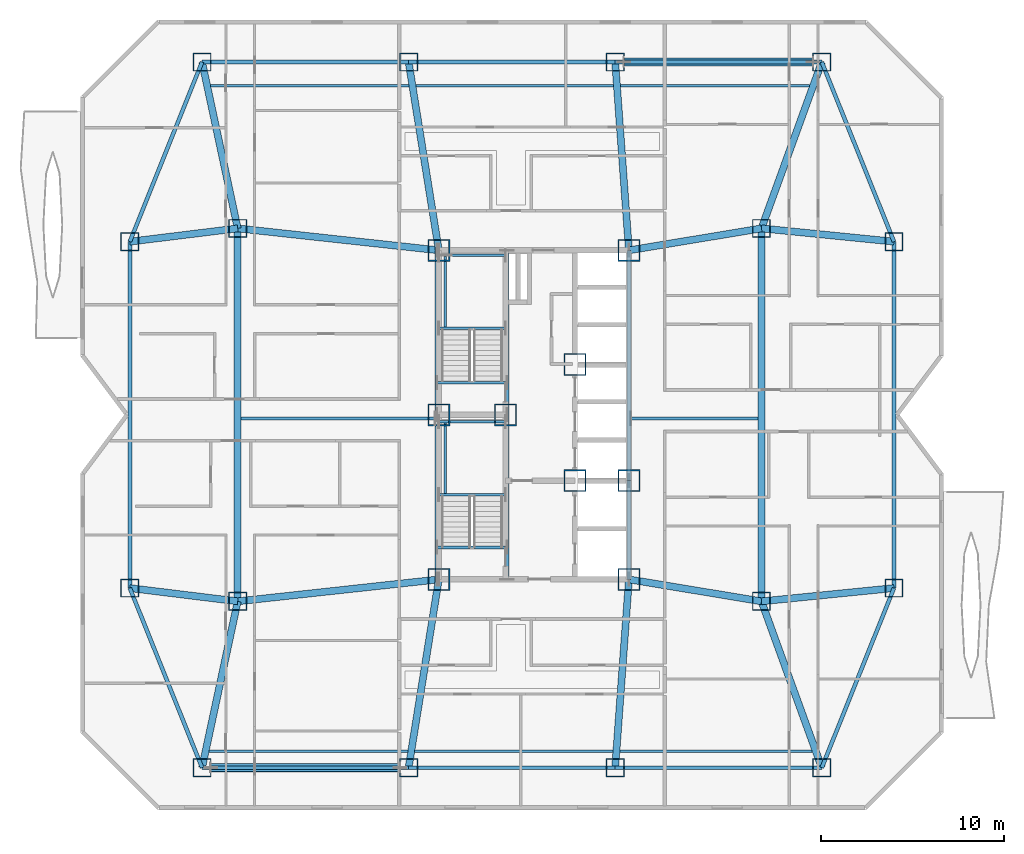
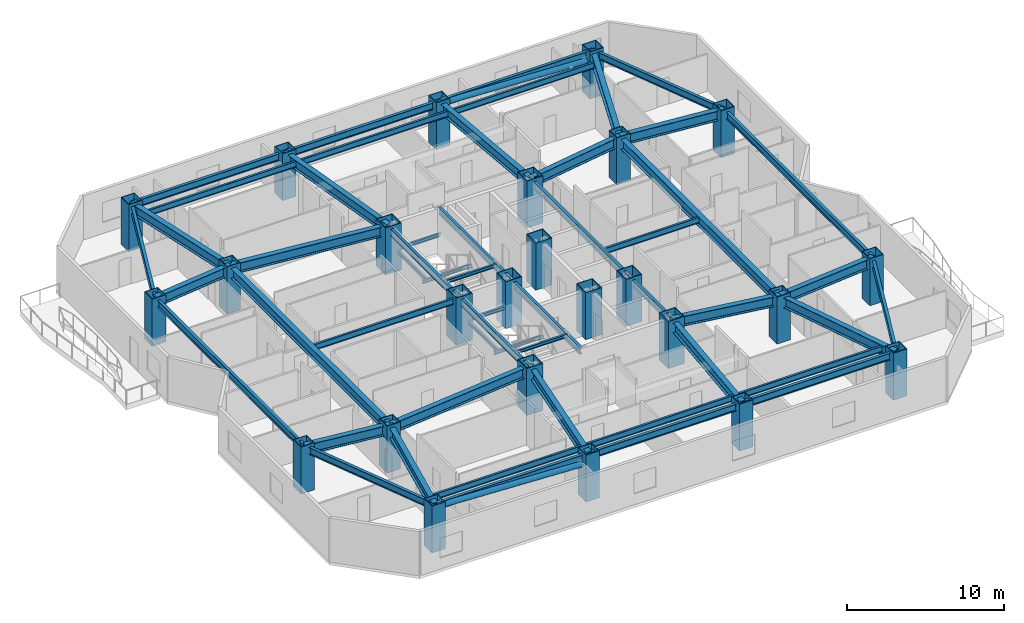
# One storey, part 1 of 15: 52 beams, 25 columns, 2 members.
"""IFC4 building model written with IfcOpenShell, lengths in metres."""

from ifc_helpers import new_model, si_unit, direction, frame, origin, origin_2d, place, context, subcontext, project, spatial, hollow_rectangle, hollow_circle, i_section, extrude, material, material_profile, profile_set, type_object, element, save


model = new_model("IFC4")

# Units and contexts
model_context = context("Model", 3, precision=1e-05, world=origin(), true_north=direction((0.0, 1.0)))
body_context = subcontext(model_context, "Body", "Model", "MODEL_VIEW")
ifc_project = project(units=[si_unit("LENGTHUNIT", "METRE"), si_unit("AREAUNIT", "SQUARE_METRE"), si_unit("VOLUMEUNIT", "CUBIC_METRE"), si_unit("PLANEANGLEUNIT", "RADIAN"), si_unit("MASSUNIT", "GRAM", prefix="KILO")], contexts=[model_context])

# Site, building, storey
site_placement = place(None, origin())
site = spatial("IfcSite", under=ifc_project, at=site_placement, CompositionType="ELEMENT")
building_placement = place(site_placement, origin())
building = spatial("IfcBuilding", under=site, at=building_placement, Name="Khamvora Tower", CompositionType="ELEMENT")
storey_placement = place(building_placement, frame((0.0, 0.0, 101.89990234375)))
storey = spatial("IfcBuildingStorey", under=building, at=storey_placement, Name="L25", CompositionType="ELEMENT", Elevation=101.89990234375)

# Columns
ifc_material_1 = material(Name="Steel S355", Category="steel")
ifc_material_profile_1 = material_profile(ifc_material_1, hollow_rectangle(XDim=1.0, YDim=1.0, WallThickness=0.050048828125, at=origin_2d()), Name="BOX1000x1000x50")
ifc_profile_set_1 = profile_set([ifc_material_profile_1], Name="Steel S355")
column_type_1 = type_object("IfcColumnType", Name="COL-BOX1000", PredefinedType="COLUMN", material=ifc_profile_set_1)
for number, where, z_axis, x_axis, name in (
    (1, (16.050048828125, 8.699951171875, 0.0), (0.0, 0.0, 1.0), (1.0, 0.0, 0.0), "L25 structural frame column S1"),
    (2, (27.35009765625, 8.699951171875, 0.0), (0.0, 0.0, 1.0), (1.0, 0.0, 0.0), "L25 structural frame column S2"),
    (3, (38.64990234375, 8.699951171875, 0.0), (0.0, 0.0, 1.0), (1.0, 0.0, 0.0), "L25 structural frame column S3"),
    (4, (49.949951171875, 8.699951171875, 0.0), (0.0, 0.0, 1.0), (1.0, 0.0, 0.0), "L25 structural frame column S4"),
    (5, (16.050048828125, 47.300048828125, 0.0), (0.0, 0.0, 1.0), (1.0, 0.0, 0.0), "L25 structural frame column N1"),
    (6, (27.35009765625, 47.300048828125, 0.0), (0.0, 0.0, 1.0), (1.0, 0.0, 0.0), "L25 structural frame column N2"),
    (7, (38.64990234375, 47.300048828125, 0.0), (0.0, 0.0, 1.0), (1.0, 0.0, 0.0), "L25 structural frame column N3"),
    (8, (49.949951171875, 47.300048828125, 0.0), (0.0, 0.0, 1.0), (1.0, 0.0, 0.0), "L25 structural frame column N4"),
    (9, (12.10009765625, 18.52490234375, 0.0), (0.0, 0.0, 1.0), (1.0, 0.0, 0.0), "L25 structural frame column W1"),
    (10, (12.10009765625, 37.47509765625, 0.0), (0.0, 0.0, 1.0), (1.0, 0.0, 0.0), "L25 structural frame column W2"),
    (11, (53.89990234375, 18.52490234375, 0.0), (0.0, 0.0, 1.0), (1.0, 0.0, 0.0), "L25 structural frame column E1"),
    (12, (53.89990234375, 37.47509765625, 0.0), (0.0, 0.0, 1.0), (1.0, 0.0, 0.0), "L25 structural frame column E2"),
    (13, (18.0, 17.800048828125, 0.0), (0.0, 0.0, 1.0), (1.0, 0.0, 0.0), "L25 structural frame column MW1"),
    (14, (18.0, 38.199951171875, 0.0), (0.0, 0.0, 1.0), (1.0, 0.0, 0.0), "L25 structural frame column MW2"),
    (15, (46.64990234375, 17.800048828125, 0.0), (0.0, 0.0, 1.0), (1.0, 0.0, 0.0), "L25 structural frame column M1"),
    (16, (46.64990234375, 38.199951171875, 0.0), (0.0, 0.0, 1.0), (1.0, 0.0, 0.0), "L25 structural frame column M2"),
):
    element("IfcColumn", number, at=place(storey_placement, frame(where, z_axis=z_axis, x_axis=x_axis)), inside=storey, type_object=column_type_1, Name=name, PredefinedType="COLUMN", context=body_context, shape_type="SweptSolid", body=[
        extrude(hollow_rectangle(XDim=1.0, YDim=1.0, WallThickness=0.050048828125, at=origin_2d()), origin(), (0.0, 0.0, 1.0), 3.650146484375),
    ])
ifc_material_2 = material(Name="Steel S460", Category="steel")
ifc_material_profile_2 = material_profile(ifc_material_2, hollow_rectangle(XDim=1.199951171875, YDim=1.199951171875, WallThickness=0.06005859375, at=origin_2d()), Name="BOX1200x1200x60")
ifc_profile_set_2 = profile_set([ifc_material_profile_2], Name="Steel S460")
column_type_2 = type_object("IfcColumnType", Name="COL-BOX1200", PredefinedType="COLUMN", material=ifc_profile_set_2)
for number, where, z_axis, x_axis, name in (
    (17, (29.0, 19.0, 0.0), (0.0, 0.0, 1.0), (1.0, 0.0, 0.0), "L25 plumb core spine column SC1"),
    (18, (32.64990234375, 28.0, 0.0), (0.0, 0.0, 1.0), (1.0, 0.0, 0.0), "L25 plumb core spine column SC2"),
    (19, (39.39990234375, 19.0, 0.0), (0.0, 0.0, 1.0), (1.0, 0.0, 0.0), "L25 plumb core spine column SC3"),
    (20, (29.0, 28.0, 0.0), (0.0, 0.0, 1.0), (1.0, 0.0, 0.0), "L25 plumb core spine column SC4"),
    (21, (36.449951171875, 24.39990234375, 0.0), (0.0, 0.0, 1.0), (1.0, 0.0, 0.0), "L25 plumb core spine column SC5"),
    (22, (39.39990234375, 24.39990234375, 0.0), (0.0, 0.0, 1.0), (1.0, 0.0, 0.0), "L25 plumb core spine column SC6"),
    (23, (29.0, 37.0, 0.0), (0.0, 0.0, 1.0), (1.0, 0.0, 0.0), "L25 plumb core spine column SC7"),
    (24, (36.449951171875, 30.75, 0.0), (0.0, 0.0, 1.0), (1.0, 0.0, 0.0), "L25 plumb core spine column SC8"),
    (25, (39.39990234375, 37.0, 0.0), (0.0, 0.0, 1.0), (1.0, 0.0, 0.0), "L25 plumb core spine column SC9"),
):
    element("IfcColumn", number, at=place(storey_placement, frame(where, z_axis=z_axis, x_axis=x_axis)), inside=storey, type_object=column_type_2, Name=name, PredefinedType="COLUMN", context=body_context, shape_type="SweptSolid", body=[
        extrude(hollow_rectangle(XDim=1.199951171875, YDim=1.199951171875, WallThickness=0.06005859375, at=origin_2d()), origin(), (0.0, 0.0, 1.0), 3.650146484375),
    ])

# Beams
ifc_material_profile_3 = material_profile(ifc_material_1, i_section(OverallWidth=0.154052734375, OverallDepth=0.458984375, WebThickness=0.009033203125, FlangeThickness=0.014892578125, FilletRadius=0.011962890625, at=origin_2d()), Name="W460x68")
ifc_profile_set_3 = profile_set([ifc_material_profile_3], Name="Steel S355")
beam_type_1 = type_object("IfcBeamType", Name="BM-JS-W460x68", PredefinedType="JOIST", material=ifc_profile_set_3)
beam_1_placement = place(storey_placement, frame((16.43310546875, 9.60009765625, 3.2001953125), z_axis=(1.0, 0.0, 0.0), x_axis=(0.0, 1.0, 0.0)))
element("IfcBeam", 26, at=beam_1_placement, inside=storey, type_object=beam_type_1, Name="L25 secondary floor joist 01", PredefinedType="JOIST", context=body_context, shape_type="SweptSolid", body=[
    extrude(i_section(OverallWidth=0.154052734375, OverallDepth=0.458984375, WebThickness=0.009033203125, FlangeThickness=0.014892578125, FilletRadius=0.011962890625, at=origin_2d()), origin(), (0.0, 0.0, 1.0), 10.872802734375),
])
beam_2_placement = place(storey_placement, frame((27.681884765625, 9.60009765625, 3.2001953125), z_axis=(1.0, 0.0, 0.0), x_axis=(0.0, 1.0, 0.0)))
element("IfcBeam", 27, at=beam_2_placement, inside=storey, type_object=beam_type_1, Name="L25 secondary floor joist 02", PredefinedType="JOIST", context=body_context, shape_type="SweptSolid", body=[
    extrude(i_section(OverallWidth=0.154052734375, OverallDepth=0.458984375, WebThickness=0.009033203125, FlangeThickness=0.014892578125, FilletRadius=0.011962890625, at=origin_2d()), origin(), (0.0, 0.0, 1.0), 10.84814453125),
])
beam_3_placement = place(storey_placement, frame((38.902099609375, 9.60009765625, 3.2001953125), z_axis=(1.0, 0.0, 0.0), x_axis=(0.0, 1.0, 0.0)))
element("IfcBeam", 28, at=beam_3_placement, inside=storey, type_object=beam_type_1, Name="L25 secondary floor joist 03", PredefinedType="JOIST", context=body_context, shape_type="SweptSolid", body=[
    extrude(i_section(OverallWidth=0.154052734375, OverallDepth=0.458984375, WebThickness=0.009033203125, FlangeThickness=0.014892578125, FilletRadius=0.011962890625, at=origin_2d()), origin(), (0.0, 0.0, 1.0), 10.52392578125),
])
beam_4_placement = place(storey_placement, frame((18.18603515625, 27.800048828125, 3.2001953125), z_axis=(1.0, 0.0, 0.0), x_axis=(0.0, 1.0, 0.0)))
element("IfcBeam", 29, at=beam_4_placement, inside=storey, type_object=beam_type_1, Name="L25 secondary floor joist 04", PredefinedType="JOIST", context=body_context, shape_type="SweptSolid", body=[
    extrude(i_section(OverallWidth=0.154052734375, OverallDepth=0.458984375, WebThickness=0.009033203125, FlangeThickness=0.014892578125, FilletRadius=0.011962890625, at=origin_2d()), origin(), (0.0, 0.0, 1.0), 10.614013671875),
])
beam_5_placement = place(storey_placement, frame((39.4990234375, 27.800048828125, 3.2001953125), z_axis=(1.0, 0.0, 0.0), x_axis=(0.0, 1.0, 0.0)))
element("IfcBeam", 30, at=beam_5_placement, inside=storey, type_object=beam_type_1, Name="L25 secondary floor joist 05", PredefinedType="JOIST", context=body_context, shape_type="SweptSolid", body=[
    extrude(i_section(OverallWidth=0.154052734375, OverallDepth=0.458984375, WebThickness=0.009033203125, FlangeThickness=0.014892578125, FilletRadius=0.011962890625, at=origin_2d()), origin(), (0.0, 0.0, 1.0), 6.966064453125),
])
beam_6_placement = place(storey_placement, frame((16.51806640625, 46.0, 3.2001953125), z_axis=(1.0, 0.0, 0.0), x_axis=(0.0, 1.0, 0.0)))
element("IfcBeam", 31, at=beam_6_placement, inside=storey, type_object=beam_type_1, Name="L25 secondary floor joist 06", PredefinedType="JOIST", context=body_context, shape_type="SweptSolid", body=[
    extrude(i_section(OverallWidth=0.154052734375, OverallDepth=0.458984375, WebThickness=0.009033203125, FlangeThickness=0.014892578125, FilletRadius=0.011962890625, at=origin_2d()), origin(), (0.0, 0.0, 1.0), 10.85205078125),
])
beam_7_placement = place(storey_placement, frame((27.74609375, 46.0, 3.2001953125), z_axis=(1.0, 0.0, 0.0), x_axis=(0.0, 1.0, 0.0)))
element("IfcBeam", 32, at=beam_7_placement, inside=storey, type_object=beam_type_1, Name="L25 secondary floor joist 07", PredefinedType="JOIST", context=body_context, shape_type="SweptSolid", body=[
    extrude(i_section(OverallWidth=0.154052734375, OverallDepth=0.458984375, WebThickness=0.009033203125, FlangeThickness=0.014892578125, FilletRadius=0.011962890625, at=origin_2d()), origin(), (0.0, 0.0, 1.0), 10.81298828125),
])
beam_8_placement = place(storey_placement, frame((38.930908203125, 46.0, 3.2001953125), z_axis=(1.0, 0.0, 0.0), x_axis=(0.0, 1.0, 0.0)))
element("IfcBeam", 33, at=beam_8_placement, inside=storey, type_object=beam_type_1, Name="L25 secondary floor joist 08", PredefinedType="JOIST", context=body_context, shape_type="SweptSolid", body=[
    extrude(i_section(OverallWidth=0.154052734375, OverallDepth=0.458984375, WebThickness=0.009033203125, FlangeThickness=0.014892578125, FilletRadius=0.011962890625, at=origin_2d()), origin(), (0.0, 0.0, 1.0), 10.35009765625),
])
ifc_material_profile_4 = material_profile(ifc_material_1, i_section(OverallWidth=0.14697265625, OverallDepth=0.261962890625, WebThickness=0.007080078125, FlangeThickness=0.010986328125, FilletRadius=0.008056640625, at=origin_2d()), Name="W250x39")
ifc_profile_set_4 = profile_set([ifc_material_profile_4], Name="Steel S355")
beam_type_2 = type_object("IfcBeamType", Name="BM-LN-W250x39", PredefinedType="LINTEL", material=ifc_profile_set_4)
for number, where, z_axis, x_axis, name in (
    (34, (29.0, 23.635009765625, 1.494140625), (1.0, 0.0, 0.0), (0.0, 1.0, 0.0), "L25 ST-01 half-landing support beam 1.1"),
    (35, (29.0, 27.6298828125, 1.494140625), (1.0, 0.0, 0.0), (0.0, 1.0, 0.0), "L25 ST-01 half-landing support beam 1.2"),
):
    element("IfcBeam", number, at=place(storey_placement, frame(where, z_axis=z_axis, x_axis=x_axis)), inside=storey, type_object=beam_type_2, Name=name, PredefinedType="LINTEL", context=body_context, shape_type="SweptSolid", body=[
        extrude(i_section(OverallWidth=0.14697265625, OverallDepth=0.261962890625, WebThickness=0.007080078125, FlangeThickness=0.010986328125, FilletRadius=0.008056640625, at=origin_2d()), origin(), (0.0, 0.0, 1.0), 3.64990234375),
    ])
beam_9_placement = place(storey_placement, frame((29.35009765625, 23.635009765625, 1.494140625), z_axis=(0.0, 1.0, 0.0), x_axis=(-1.0, 0.0, 0.0)))
element("IfcBeam", 36, at=beam_9_placement, inside=storey, type_object=beam_type_2, Name="L25 ST-01 half-landing edge stringer 1", PredefinedType="LINTEL", context=body_context, shape_type="SweptSolid", body=[
    extrude(i_section(OverallWidth=0.14697265625, OverallDepth=0.261962890625, WebThickness=0.007080078125, FlangeThickness=0.010986328125, FilletRadius=0.008056640625, at=origin_2d()), origin(), (0.0, 0.0, 1.0), 3.994873046875),
])
for number, where, z_axis, x_axis, name in (
    (37, (29.0, 32.735107421875, 1.494140625), (1.0, 0.0, 0.0), (0.0, 1.0, 0.0), "L25 ST-02 half-landing support beam 1.1"),
    (38, (29.0, 36.72998046875, 1.494140625), (1.0, 0.0, 0.0), (0.0, 1.0, 0.0), "L25 ST-02 half-landing support beam 1.2"),
):
    element("IfcBeam", number, at=place(storey_placement, frame(where, z_axis=z_axis, x_axis=x_axis)), inside=storey, type_object=beam_type_2, Name=name, PredefinedType="LINTEL", context=body_context, shape_type="SweptSolid", body=[
        extrude(i_section(OverallWidth=0.14697265625, OverallDepth=0.261962890625, WebThickness=0.007080078125, FlangeThickness=0.010986328125, FilletRadius=0.008056640625, at=origin_2d()), origin(), (0.0, 0.0, 1.0), 3.64990234375),
    ])
beam_10_placement = place(storey_placement, frame((29.35009765625, 32.735107421875, 1.494140625), z_axis=(0.0, 1.0, 0.0), x_axis=(-1.0, 0.0, 0.0)))
element("IfcBeam", 39, at=beam_10_placement, inside=storey, type_object=beam_type_2, Name="L25 ST-02 half-landing edge stringer 1", PredefinedType="LINTEL", context=body_context, shape_type="SweptSolid", body=[
    extrude(i_section(OverallWidth=0.14697265625, OverallDepth=0.261962890625, WebThickness=0.007080078125, FlangeThickness=0.010986328125, FilletRadius=0.008056640625, at=origin_2d()), origin(), (0.0, 0.0, 1.0), 3.994873046875),
])
for number, where, z_axis, x_axis, name in (
    (40, (28.89990234375, 20.75, 3.30419921875), (1.0, 0.0, 0.0), (0.0, 1.0, 0.0), "L25 exit stair ST-01 landing trimmer beam"),
    (41, (28.89990234375, 29.75, 3.30419921875), (1.0, 0.0, 0.0), (0.0, 1.0, 0.0), "L25 exit stair ST-02 landing trimmer beam"),
):
    element("IfcBeam", number, at=place(storey_placement, frame(where, z_axis=z_axis, x_axis=x_axis)), inside=storey, type_object=beam_type_2, Name=name, PredefinedType="LINTEL", context=body_context, shape_type="SweptSolid", body=[
        extrude(i_section(OverallWidth=0.14697265625, OverallDepth=0.261962890625, WebThickness=0.007080078125, FlangeThickness=0.010986328125, FilletRadius=0.008056640625, at=origin_2d()), origin(), (0.0, 0.0, 1.0), 3.830078125),
    ])
ifc_material_profile_5 = material_profile(ifc_material_1, i_section(OverallWidth=0.381103515625, OverallDepth=0.77294921875, WebThickness=0.01708984375, FlangeThickness=0.027099609375, FilletRadius=0.01806640625, at=origin_2d()), Name="W760x257")
ifc_profile_set_5 = profile_set([ifc_material_profile_5], Name="Steel S355")
beam_type_3 = type_object("IfcBeamType", Name="BM-PG-W760x257", PredefinedType="BEAM", material=ifc_profile_set_5)
for number, where, z_axis, x_axis, name in (
    (42, (46.64990234375, 17.800048828125, 3.044189453125), (0.0, 1.0, 0.0), (-1.0, 0.0, 0.0), "L25 longitudinal frame girder M1-M2"),
    (43, (18.0, 17.800048828125, 3.044189453125), (0.0, 1.0, 0.0), (-1.0, 0.0, 0.0), "L25 longitudinal frame girder MW1-MW2"),
):
    element("IfcBeam", number, at=place(storey_placement, frame(where, z_axis=z_axis, x_axis=x_axis)), inside=storey, type_object=beam_type_3, Name=name, PredefinedType="BEAM", context=body_context, shape_type="SweptSolid", body=[
        extrude(i_section(OverallWidth=0.381103515625, OverallDepth=0.77294921875, WebThickness=0.01708984375, FlangeThickness=0.027099609375, FilletRadius=0.01806640625, at=origin_2d()), origin(), (0.0, 0.0, 1.0), 20.39990234375),
    ])
beam_11_placement = place(storey_placement, frame((18.0, 17.800048828125, 3.044189453125), z_axis=(-0.209521922673, -0.977803949634, 0.0), x_axis=(0.977803949634, -0.209521922673, 0.0)))
element("IfcBeam", 44, at=beam_11_placement, inside=storey, type_object=beam_type_3, Name="L25 primary floor girder S1", PredefinedType="BEAM", context=body_context, shape_type="SweptSolid", body=[
    extrude(i_section(OverallWidth=0.381103515625, OverallDepth=0.77294921875, WebThickness=0.01708984375, FlangeThickness=0.027099609375, FilletRadius=0.01806640625, at=origin_2d()), origin(), (0.0, 0.0, 1.0), 9.306640625),
])
beam_12_placement = place(storey_placement, frame((29.0, 19.0, 3.044189453125), z_axis=(-0.158167584066, -0.987412282358, 0.0), x_axis=(0.987412282358, -0.158167584066, 0.0)))
element("IfcBeam", 45, at=beam_12_placement, inside=storey, type_object=beam_type_3, Name="L25 primary floor girder S2", PredefinedType="BEAM", context=body_context, shape_type="SweptSolid", body=[
    extrude(i_section(OverallWidth=0.381103515625, OverallDepth=0.77294921875, WebThickness=0.01708984375, FlangeThickness=0.027099609375, FilletRadius=0.01806640625, at=origin_2d()), origin(), (0.0, 0.0, 1.0), 10.431396484375),
])
beam_13_placement = place(storey_placement, frame((39.39990234375, 19.0, 3.044189453125), z_axis=(-0.07262291808, -0.997359469685, 0.0), x_axis=(0.997359469685, -0.07262291808, 0.0)))
element("IfcBeam", 46, at=beam_13_placement, inside=storey, type_object=beam_type_3, Name="L25 primary floor girder S3", PredefinedType="BEAM", context=body_context, shape_type="SweptSolid", body=[
    extrude(i_section(OverallWidth=0.381103515625, OverallDepth=0.77294921875, WebThickness=0.01708984375, FlangeThickness=0.027099609375, FilletRadius=0.01806640625, at=origin_2d()), origin(), (0.0, 0.0, 1.0), 10.327392578125),
])
beam_14_placement = place(storey_placement, frame((46.64990234375, 17.800048828125, 3.044189453125), z_axis=(0.340914681567, -0.940094239899, 0.0), x_axis=(0.940094239899, 0.340914681567, 0.0)))
element("IfcBeam", 47, at=beam_14_placement, inside=storey, type_object=beam_type_3, Name="L25 primary floor girder S4", PredefinedType="BEAM", context=body_context, shape_type="SweptSolid", body=[
    extrude(i_section(OverallWidth=0.381103515625, OverallDepth=0.77294921875, WebThickness=0.01708984375, FlangeThickness=0.027099609375, FilletRadius=0.01806640625, at=origin_2d()), origin(), (0.0, 0.0, 1.0), 9.679931640625),
])
beam_15_placement = place(storey_placement, frame((18.0, 38.199951171875, 3.044189453125), z_axis=(-0.209521922673, 0.977803949634, 0.0), x_axis=(-0.977803949634, -0.209521922673, 0.0)))
element("IfcBeam", 48, at=beam_15_placement, inside=storey, type_object=beam_type_3, Name="L25 primary floor girder N1", PredefinedType="BEAM", context=body_context, shape_type="SweptSolid", body=[
    extrude(i_section(OverallWidth=0.381103515625, OverallDepth=0.77294921875, WebThickness=0.01708984375, FlangeThickness=0.027099609375, FilletRadius=0.01806640625, at=origin_2d()), origin(), (0.0, 0.0, 1.0), 9.306640625),
])
beam_16_placement = place(storey_placement, frame((29.0, 37.0, 3.044189453125), z_axis=(-0.158167584066, 0.987412282358, 0.0), x_axis=(-0.987412282358, -0.158167584066, 0.0)))
element("IfcBeam", 49, at=beam_16_placement, inside=storey, type_object=beam_type_3, Name="L25 primary floor girder N2", PredefinedType="BEAM", context=body_context, shape_type="SweptSolid", body=[
    extrude(i_section(OverallWidth=0.381103515625, OverallDepth=0.77294921875, WebThickness=0.01708984375, FlangeThickness=0.027099609375, FilletRadius=0.01806640625, at=origin_2d()), origin(), (0.0, 0.0, 1.0), 10.431396484375),
])
beam_17_placement = place(storey_placement, frame((39.39990234375, 37.0, 3.044189453125), z_axis=(-0.07262291808, 0.997359469685, 0.0), x_axis=(-0.997359469685, -0.07262291808, 0.0)))
element("IfcBeam", 50, at=beam_17_placement, inside=storey, type_object=beam_type_3, Name="L25 primary floor girder N3", PredefinedType="BEAM", context=body_context, shape_type="SweptSolid", body=[
    extrude(i_section(OverallWidth=0.381103515625, OverallDepth=0.77294921875, WebThickness=0.01708984375, FlangeThickness=0.027099609375, FilletRadius=0.01806640625, at=origin_2d()), origin(), (0.0, 0.0, 1.0), 10.327392578125),
])
beam_18_placement = place(storey_placement, frame((46.64990234375, 38.199951171875, 3.044189453125), z_axis=(0.340914681567, 0.940094239899, 0.0), x_axis=(-0.940094239899, 0.340914681567, 0.0)))
element("IfcBeam", 51, at=beam_18_placement, inside=storey, type_object=beam_type_3, Name="L25 primary floor girder N4", PredefinedType="BEAM", context=body_context, shape_type="SweptSolid", body=[
    extrude(i_section(OverallWidth=0.381103515625, OverallDepth=0.77294921875, WebThickness=0.01708984375, FlangeThickness=0.027099609375, FilletRadius=0.01806640625, at=origin_2d()), origin(), (0.0, 0.0, 1.0), 9.679931640625),
])
for number, where, z_axis, x_axis, name in (
    (52, (18.0, 17.800048828125, 3.044189453125), (-0.992537264608, 0.12194170068, 0.0), (-0.12194170068, -0.992537264608, 0.0), "L25 primary floor girder W1"),
    (53, (18.0, 38.199951171875, 3.044189453125), (-0.992537264608, -0.12194170068, 0.0), (0.12194170068, -0.992537264608, 0.0), "L25 primary floor girder W2"),
):
    element("IfcBeam", number, at=place(storey_placement, frame(where, z_axis=z_axis, x_axis=x_axis)), inside=storey, type_object=beam_type_3, Name=name, PredefinedType="BEAM", context=body_context, shape_type="SweptSolid", body=[
        extrude(i_section(OverallWidth=0.381103515625, OverallDepth=0.77294921875, WebThickness=0.01708984375, FlangeThickness=0.027099609375, FilletRadius=0.01806640625, at=origin_2d()), origin(), (0.0, 0.0, 1.0), 5.9443359375),
    ])
for number, where, z_axis, x_axis, name in (
    (54, (46.64990234375, 17.800048828125, 3.044189453125), (0.995039180556, 0.099483813546, 0.0), (-0.099483813546, 0.995039180556, 0.0), "L25 primary floor girder E1"),
    (55, (46.64990234375, 38.199951171875, 3.044189453125), (0.995039180556, -0.099483813546, 0.0), (0.099483813546, 0.995039180556, 0.0), "L25 primary floor girder E2"),
):
    element("IfcBeam", number, at=place(storey_placement, frame(where, z_axis=z_axis, x_axis=x_axis)), inside=storey, type_object=beam_type_3, Name=name, PredefinedType="BEAM", context=body_context, shape_type="SweptSolid", body=[
        extrude(i_section(OverallWidth=0.381103515625, OverallDepth=0.77294921875, WebThickness=0.01708984375, FlangeThickness=0.027099609375, FilletRadius=0.01806640625, at=origin_2d()), origin(), (0.0, 0.0, 1.0), 7.2861328125),
    ])
for number, where, z_axis, x_axis, name in (
    (56, (29.0, 19.0, 3.044189453125), (-0.994102652327, -0.108443149329, 0.0), (0.108443149329, -0.994102652327, 0.0), "L25 primary floor girder MW1"),
    (57, (29.0, 37.0, 3.044189453125), (-0.994102652327, 0.108443149329, 0.0), (-0.108443149329, -0.994102652327, 0.0), "L25 primary floor girder MW2"),
):
    element("IfcBeam", number, at=place(storey_placement, frame(where, z_axis=z_axis, x_axis=x_axis)), inside=storey, type_object=beam_type_3, Name=name, PredefinedType="BEAM", context=body_context, shape_type="SweptSolid", body=[
        extrude(i_section(OverallWidth=0.381103515625, OverallDepth=0.77294921875, WebThickness=0.01708984375, FlangeThickness=0.027099609375, FilletRadius=0.01806640625, at=origin_2d()), origin(), (0.0, 0.0, 1.0), 11.065185546875),
    ])
for number, where, z_axis, x_axis, name in (
    (58, (39.39990234375, 19.0, 3.044189453125), (0.986578268552, -0.163289068896, 0.0), (0.163289068896, 0.986578268552, 0.0), "L25 primary floor girder M1"),
    (59, (39.39990234375, 37.0, 3.044189453125), (0.986578268552, 0.163289068896, 0.0), (-0.163289068896, 0.986578268552, 0.0), "L25 primary floor girder M2"),
):
    element("IfcBeam", number, at=place(storey_placement, frame(where, z_axis=z_axis, x_axis=x_axis)), inside=storey, type_object=beam_type_3, Name=name, PredefinedType="BEAM", context=body_context, shape_type="SweptSolid", body=[
        extrude(i_section(OverallWidth=0.381103515625, OverallDepth=0.77294921875, WebThickness=0.01708984375, FlangeThickness=0.027099609375, FilletRadius=0.01806640625, at=origin_2d()), origin(), (0.0, 0.0, 1.0), 7.3486328125),
    ])
ifc_material_profile_6 = material_profile(ifc_material_1, i_section(OverallWidth=0.2119140625, OverallDepth=0.5439453125, WebThickness=0.012939453125, FlangeThickness=0.02099609375, FilletRadius=0.013916015625, at=origin_2d()), Name="W530x123")
ifc_profile_set_6 = profile_set([ifc_material_profile_6], Name="Steel S355")
beam_type_4 = type_object("IfcBeamType", Name="BM-SP-W530x123", PredefinedType="SPANDREL", material=ifc_profile_set_6)
beam_19_placement = place(storey_placement, frame((12.10009765625, 18.52490234375, 3.158203125), z_axis=(0.373015921536, -0.927824941614, 0.0), x_axis=(0.927824941614, 0.373015921536, 0.0)))
element("IfcBeam", 60, at=beam_19_placement, inside=storey, type_object=beam_type_4, Name="L25 perimeter spandrel beam W1-S1", PredefinedType="SPANDREL", context=body_context, shape_type="SweptSolid", body=[
    extrude(i_section(OverallWidth=0.2119140625, OverallDepth=0.5439453125, WebThickness=0.012939453125, FlangeThickness=0.02099609375, FilletRadius=0.013916015625, at=origin_2d()), origin(), (0.0, 0.0, 1.0), 10.589111328125),
])
beam_20_placement = place(storey_placement, frame((16.050048828125, 8.699951171875, 3.158203125), z_axis=(1.0, 0.0, 0.0), x_axis=(0.0, 1.0, 0.0)))
element("IfcBeam", 61, at=beam_20_placement, inside=storey, type_object=beam_type_4, Name="L25 perimeter spandrel beam S1-S2", PredefinedType="SPANDREL", context=body_context, shape_type="SweptSolid", body=[
    extrude(i_section(OverallWidth=0.2119140625, OverallDepth=0.5439453125, WebThickness=0.012939453125, FlangeThickness=0.02099609375, FilletRadius=0.013916015625, at=origin_2d()), origin(), (0.0, 0.0, 1.0), 11.300048828125),
])
beam_21_placement = place(storey_placement, frame((27.35009765625, 8.699951171875, 3.158203125), z_axis=(1.0, 0.0, 0.0), x_axis=(0.0, 1.0, 0.0)))
element("IfcBeam", 62, at=beam_21_placement, inside=storey, type_object=beam_type_4, Name="L25 perimeter spandrel beam S2-S3", PredefinedType="SPANDREL", context=body_context, shape_type="SweptSolid", body=[
    extrude(i_section(OverallWidth=0.2119140625, OverallDepth=0.5439453125, WebThickness=0.012939453125, FlangeThickness=0.02099609375, FilletRadius=0.013916015625, at=origin_2d()), origin(), (0.0, 0.0, 1.0), 11.2998046875),
])
beam_22_placement = place(storey_placement, frame((38.64990234375, 8.699951171875, 3.158203125), z_axis=(1.0, 0.0, 0.0), x_axis=(0.0, 1.0, 0.0)))
element("IfcBeam", 63, at=beam_22_placement, inside=storey, type_object=beam_type_4, Name="L25 perimeter spandrel beam S3-S4", PredefinedType="SPANDREL", context=body_context, shape_type="SweptSolid", body=[
    extrude(i_section(OverallWidth=0.2119140625, OverallDepth=0.5439453125, WebThickness=0.012939453125, FlangeThickness=0.02099609375, FilletRadius=0.013916015625, at=origin_2d()), origin(), (0.0, 0.0, 1.0), 11.300048828125),
])
beam_23_placement = place(storey_placement, frame((49.949951171875, 8.699951171875, 3.158203125), z_axis=(0.373015921536, 0.927824941614, 0.0), x_axis=(-0.927824941614, 0.373015921536, 0.0)))
element("IfcBeam", 64, at=beam_23_placement, inside=storey, type_object=beam_type_4, Name="L25 perimeter spandrel beam S4-E1", PredefinedType="SPANDREL", context=body_context, shape_type="SweptSolid", body=[
    extrude(i_section(OverallWidth=0.2119140625, OverallDepth=0.5439453125, WebThickness=0.012939453125, FlangeThickness=0.02099609375, FilletRadius=0.013916015625, at=origin_2d()), origin(), (0.0, 0.0, 1.0), 10.589111328125),
])
beam_24_placement = place(storey_placement, frame((53.89990234375, 18.52490234375, 3.158203125), z_axis=(0.0, 1.0, 0.0), x_axis=(-1.0, 0.0, 0.0)))
element("IfcBeam", 65, at=beam_24_placement, inside=storey, type_object=beam_type_4, Name="L25 perimeter spandrel beam E1-E2", PredefinedType="SPANDREL", context=body_context, shape_type="SweptSolid", body=[
    extrude(i_section(OverallWidth=0.2119140625, OverallDepth=0.5439453125, WebThickness=0.012939453125, FlangeThickness=0.02099609375, FilletRadius=0.013916015625, at=origin_2d()), origin(), (0.0, 0.0, 1.0), 18.9501953125),
])
beam_25_placement = place(storey_placement, frame((53.89990234375, 37.47509765625, 3.158203125), z_axis=(-0.373015921536, 0.927824941614, 0.0), x_axis=(-0.927824941614, -0.373015921536, 0.0)))
element("IfcBeam", 66, at=beam_25_placement, inside=storey, type_object=beam_type_4, Name="L25 perimeter spandrel beam E2-N4", PredefinedType="SPANDREL", context=body_context, shape_type="SweptSolid", body=[
    extrude(i_section(OverallWidth=0.2119140625, OverallDepth=0.5439453125, WebThickness=0.012939453125, FlangeThickness=0.02099609375, FilletRadius=0.013916015625, at=origin_2d()), origin(), (0.0, 0.0, 1.0), 10.589111328125),
])
beam_26_placement = place(storey_placement, frame((49.949951171875, 47.300048828125, 3.158203125), z_axis=(-1.0, 0.0, 0.0), x_axis=(0.0, -1.0, 0.0)))
element("IfcBeam", 67, at=beam_26_placement, inside=storey, type_object=beam_type_4, Name="L25 perimeter spandrel beam N4-N3", PredefinedType="SPANDREL", context=body_context, shape_type="SweptSolid", body=[
    extrude(i_section(OverallWidth=0.2119140625, OverallDepth=0.5439453125, WebThickness=0.012939453125, FlangeThickness=0.02099609375, FilletRadius=0.013916015625, at=origin_2d()), origin(), (0.0, 0.0, 1.0), 11.300048828125),
])
beam_27_placement = place(storey_placement, frame((38.64990234375, 47.300048828125, 3.158203125), z_axis=(-1.0, 0.0, 0.0), x_axis=(0.0, -1.0, 0.0)))
element("IfcBeam", 68, at=beam_27_placement, inside=storey, type_object=beam_type_4, Name="L25 perimeter spandrel beam N3-N2", PredefinedType="SPANDREL", context=body_context, shape_type="SweptSolid", body=[
    extrude(i_section(OverallWidth=0.2119140625, OverallDepth=0.5439453125, WebThickness=0.012939453125, FlangeThickness=0.02099609375, FilletRadius=0.013916015625, at=origin_2d()), origin(), (0.0, 0.0, 1.0), 11.2998046875),
])
beam_28_placement = place(storey_placement, frame((27.35009765625, 47.300048828125, 3.158203125), z_axis=(-1.0, 0.0, 0.0), x_axis=(0.0, -1.0, 0.0)))
element("IfcBeam", 69, at=beam_28_placement, inside=storey, type_object=beam_type_4, Name="L25 perimeter spandrel beam N2-N1", PredefinedType="SPANDREL", context=body_context, shape_type="SweptSolid", body=[
    extrude(i_section(OverallWidth=0.2119140625, OverallDepth=0.5439453125, WebThickness=0.012939453125, FlangeThickness=0.02099609375, FilletRadius=0.013916015625, at=origin_2d()), origin(), (0.0, 0.0, 1.0), 11.300048828125),
])
beam_29_placement = place(storey_placement, frame((16.050048828125, 47.300048828125, 3.158203125), z_axis=(-0.373015921536, -0.927824941614, 0.0), x_axis=(0.927824941614, -0.373015921536, 0.0)))
element("IfcBeam", 70, at=beam_29_placement, inside=storey, type_object=beam_type_4, Name="L25 perimeter spandrel beam N1-W2", PredefinedType="SPANDREL", context=body_context, shape_type="SweptSolid", body=[
    extrude(i_section(OverallWidth=0.2119140625, OverallDepth=0.5439453125, WebThickness=0.012939453125, FlangeThickness=0.02099609375, FilletRadius=0.013916015625, at=origin_2d()), origin(), (0.0, 0.0, 1.0), 10.589111328125),
])
beam_30_placement = place(storey_placement, frame((12.10009765625, 37.47509765625, 3.158203125), z_axis=(0.0, -1.0, 0.0), x_axis=(1.0, 0.0, 0.0)))
element("IfcBeam", 71, at=beam_30_placement, inside=storey, type_object=beam_type_4, Name="L25 perimeter spandrel beam W2-W1", PredefinedType="SPANDREL", context=body_context, shape_type="SweptSolid", body=[
    extrude(i_section(OverallWidth=0.2119140625, OverallDepth=0.5439453125, WebThickness=0.012939453125, FlangeThickness=0.02099609375, FilletRadius=0.013916015625, at=origin_2d()), origin(), (0.0, 0.0, 1.0), 18.9501953125),
])
ifc_material_profile_7 = material_profile(ifc_material_1, i_section(OverallWidth=0.208984375, OverallDepth=0.532958984375, WebThickness=0.010009765625, FlangeThickness=0.01611328125, FilletRadius=0.013916015625, at=origin_2d()), Name="W530x92")
ifc_profile_set_7 = profile_set([ifc_material_profile_7], Name="Steel S355")
beam_type_5 = type_object("IfcBeamType", Name="BM-SP-W530x92", PredefinedType="SPANDREL", material=ifc_profile_set_7)
for number, where, z_axis, x_axis, name in (
    (72, (28.89990234375, 19.0, 3.1640625), (0.0, 1.0, 0.0), (-1.0, 0.0, 0.0), "L25 core spine girder WS"),
    (73, (28.89990234375, 28.0, 3.1640625), (0.0, 1.0, 0.0), (-1.0, 0.0, 0.0), "L25 core spine girder WN"),
    (74, (32.72998046875, 19.0, 3.1640625), (0.0, 1.0, 0.0), (-1.0, 0.0, 0.0), "L25 core spine girder M1S"),
    (75, (32.72998046875, 28.0, 3.1640625), (0.0, 1.0, 0.0), (-1.0, 0.0, 0.0), "L25 core spine girder M1N"),
):
    element("IfcBeam", number, at=place(storey_placement, frame(where, z_axis=z_axis, x_axis=x_axis)), inside=storey, type_object=beam_type_5, Name=name, PredefinedType="SPANDREL", context=body_context, shape_type="SweptSolid", body=[
        extrude(i_section(OverallWidth=0.208984375, OverallDepth=0.532958984375, WebThickness=0.010009765625, FlangeThickness=0.01611328125, FilletRadius=0.013916015625, at=origin_2d()), origin(), (0.0, 0.0, 1.0), 9.0),
    ])
beam_31_placement = place(storey_placement, frame((39.39990234375, 19.0, 3.1640625), z_axis=(0.0, 1.0, 0.0), x_axis=(-1.0, 0.0, 0.0)))
element("IfcBeam", 76, at=beam_31_placement, inside=storey, type_object=beam_type_5, Name="L25 core spine girder ES", PredefinedType="SPANDREL", context=body_context, shape_type="SweptSolid", body=[
    extrude(i_section(OverallWidth=0.208984375, OverallDepth=0.532958984375, WebThickness=0.010009765625, FlangeThickness=0.01611328125, FilletRadius=0.013916015625, at=origin_2d()), origin(), (0.0, 0.0, 1.0), 5.39990234375),
])
beam_32_placement = place(storey_placement, frame((39.39990234375, 24.39990234375, 3.1640625), z_axis=(0.0, 1.0, 0.0), x_axis=(-1.0, 0.0, 0.0)))
element("IfcBeam", 77, at=beam_32_placement, inside=storey, type_object=beam_type_5, Name="L25 core spine girder EN", PredefinedType="SPANDREL", context=body_context, shape_type="SweptSolid", body=[
    extrude(i_section(OverallWidth=0.208984375, OverallDepth=0.532958984375, WebThickness=0.010009765625, FlangeThickness=0.01611328125, FilletRadius=0.013916015625, at=origin_2d()), origin(), (0.0, 0.0, 1.0), 12.60009765625),
])

# Members
ifc_material_profile_8 = material_profile(ifc_material_1, hollow_circle(Radius=0.228515625, WallThickness=0.02001953125, at=origin_2d()), Name="CHS457x20")
ifc_profile_set_8 = profile_set([ifc_material_profile_8], Name="Steel S355")
member_type = type_object("IfcMemberType", Name="MEM-BR-CHS457", PredefinedType="BRACE", material=ifc_profile_set_8)
for number, where, z_axis, x_axis, name in (
    (78, (26.8701171875, 8.699951171875, 2.7001953125), (-0.999092084621, 0.0, 0.042602892471), (0.0, -1.0, 0.0), "L25 perimeter wind brace 1"),
    (79, (49.469970703125, 47.300048828125, 2.7001953125), (-0.999092084621, 0.0, 0.042602892471), (0.0, -1.0, 0.0), "L25 perimeter wind brace 2"),
):
    element("IfcMember", number, at=place(storey_placement, frame(where, z_axis=z_axis, x_axis=x_axis)), inside=storey, type_object=member_type, Name=name, PredefinedType="BRACE", context=body_context, shape_type="SweptSolid", body=[
        extrude(hollow_circle(Radius=0.228515625, WallThickness=0.02001953125, at=origin_2d()), origin(), (0.0, 0.0, 1.0), 10.349365234375),
    ])

save(model, "model.ifc")
